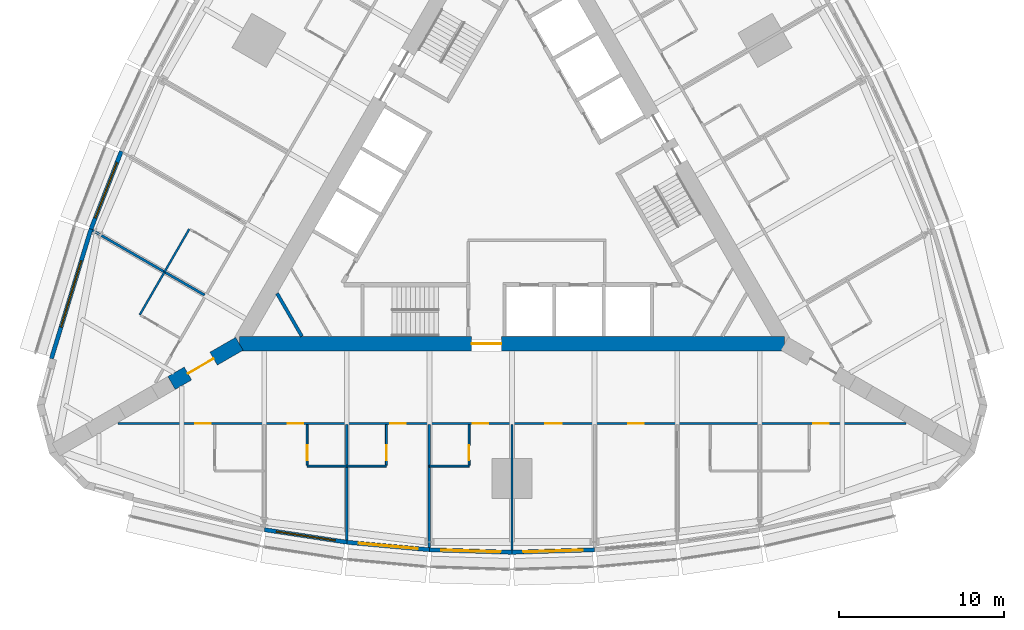
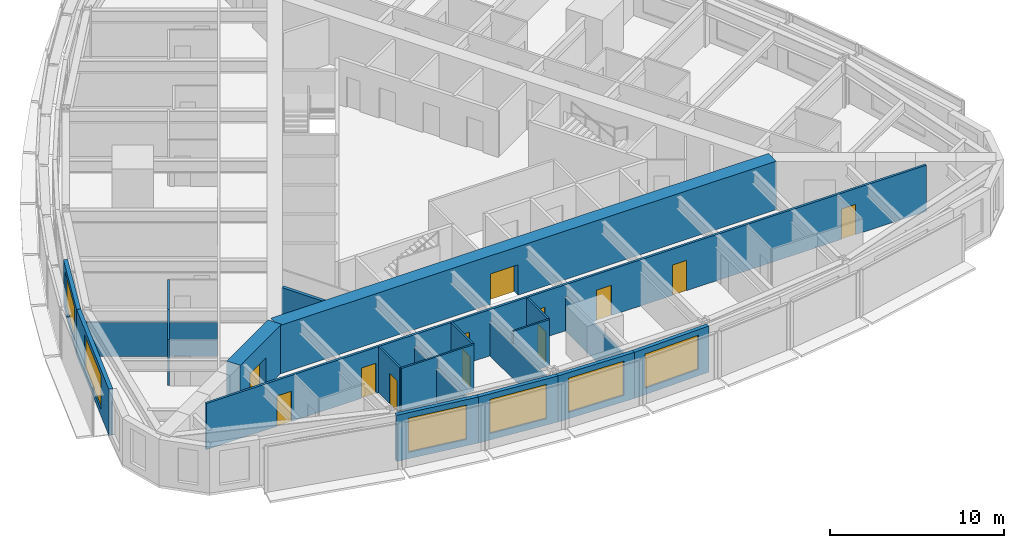
# One storey, part 8 of 14: 22 walls, 12 doors, 6 windows, 18 openings.
"""IFC4 building model written with IfcOpenShell, lengths in metres."""

from ifc_helpers import new_model, si_unit, direction, frame, frame_2d, origin, place, context, subcontext, project, spatial, rectangle, extrude, material, layer, layer_set, type_object, element, fill, save


model = new_model("IFC4")

# Units and contexts
model_context = context("Model", 3, precision=1e-05, world=origin(), true_north=direction((0.0, 1.0)))
body_context = subcontext(model_context, "Body", "Model", "MODEL_VIEW")
ifc_project = project(units=[si_unit("LENGTHUNIT", "METRE"), si_unit("AREAUNIT", "SQUARE_METRE"), si_unit("VOLUMEUNIT", "CUBIC_METRE"), si_unit("PLANEANGLEUNIT", "RADIAN"), si_unit("MASSUNIT", "GRAM", prefix="KILO")], contexts=[model_context])

# Site, building, storey
site_placement = place(None, origin())
site = spatial("IfcSite", under=ifc_project, at=site_placement, CompositionType="ELEMENT")
building_placement = place(site_placement, origin())
building = spatial("IfcBuilding", under=site, at=building_placement, Name="Trikona Tower", CompositionType="ELEMENT")
storey_placement = place(building_placement, frame((0.0, 0.0, 62.5)))
storey = spatial("IfcBuildingStorey", under=building, at=storey_placement, Name="L15", CompositionType="ELEMENT", Elevation=62.5)

# Wall
ifc_material_1 = material(Name="Metal stud and cement board", Category="gypsum")
ifc_layer_1 = layer(ifc_material_1, 0.1201171875)
ifc_layer_set_1 = layer_set([ifc_layer_1], Name="Bathroom wall 120")
wall_type_1 = type_object("IfcWallType", Name="Bathroom wall 120", PredefinedType="PLUMBINGWALL", material=ifc_layer_set_1)
wall_1_placement = place(storey_placement, frame((-12.39990234375, -16.92626953125, 0.0), z_axis=(0.0, 0.0, 1.0), x_axis=(1.0, 0.0, 0.0)))
element("IfcWall", 1, at=wall_1_placement, inside=storey, type_object=wall_type_1, Name="Bathroom wall 1502", PredefinedType="PLUMBINGWALL", context=body_context, shape_type="SweptSolid", body=[
    extrude(rectangle(XDim=2.39990234375, YDim=0.1201171875, at=frame_2d((1.199951171875, 0.0))), origin(), (0.0, 0.0, 1.0), 3.235107421875),
])

# Wall, opening, door
wall_2_placement = place(storey_placement, frame((-12.39990234375, -14.42626953125, 0.0), z_axis=(0.0, 0.0, 1.0), x_axis=(0.0, -1.0, 0.0)))
wall_2 = element("IfcWall", 2, at=wall_2_placement, inside=storey, type_object=wall_type_1, Name="Bathroom wall 1502", PredefinedType="PLUMBINGWALL", context=body_context, shape_type="SweptSolid", body=[
    extrude(rectangle(XDim=2.43994140625, YDim=0.1201171875, at=frame_2d((1.219970703125, 0.0))), origin(), (0.0, 0.0, 1.0), 3.235107421875),
])
opening_1_placement = place(wall_2_placement, frame((1.25, 0.0, 0.0)))
opening_1 = element("IfcOpeningElement", 3, at=opening_1_placement, cuts=wall_2, Name="Opening D2", PredefinedType="OPENING", context=body_context, shape_type="SweptSolid", body=[
    extrude(rectangle(XDim=0.89990234375, YDim=2.1298828125, at=frame_2d((0.449951171875, 1.06494140625))), frame((0.0, 0.070068359375, 0.0), z_axis=(0.0, -1.0, 0.0), x_axis=(1.0, 0.0, 0.0)), (0.0, 0.0, 1.0), 0.14013671875),
])
ifc_material_2 = material(Name="Steel door frame with solid-core timber leaf", Category="steel")
door_type_1 = type_object("IfcDoorType", Name="Bathroom door 900x2130", OperationType="SLIDING_TO_LEFT", PredefinedType="DOOR", material=ifc_material_2)
door_1_placement = place(opening_1_placement, origin())
door_1 = element("IfcDoor", 4, at=door_1_placement, inside=storey, type_object=door_type_1, Name="Bathroom door 1502", OperationType="SLIDING_TO_LEFT", OverallHeight=2.1298828125, OverallWidth=0.89990234375, PredefinedType="DOOR", context=body_context, shape_type="SweptSolid", body=[
    extrude(rectangle(XDim=0.89990234375, YDim=2.1298828125, at=frame_2d((0.449951171875, 1.06494140625))), frame((0.0, 0.02490234375, 0.0), z_axis=(0.0, -1.0, 0.0), x_axis=(1.0, 0.0, 0.0)), (0.0, 0.0, 1.0), 0.050048828125),
])
fill(opening_1, door_1)

# Wall
wall_3_placement = place(storey_placement, frame((-10.0, -16.92626953125, 0.0), z_axis=(0.0, 0.0, 1.0), x_axis=(1.0, 0.0, 0.0)))
element("IfcWall", 5, at=wall_3_placement, inside=storey, type_object=wall_type_1, Name="Bathroom wall 1503", PredefinedType="PLUMBINGWALL", context=body_context, shape_type="SweptSolid", body=[
    extrude(rectangle(XDim=2.39990234375, YDim=0.1201171875, at=frame_2d((1.199951171875, 0.0))), origin(), (0.0, 0.0, 1.0), 3.235107421875),
])

# Wall, opening, door
wall_4_placement = place(storey_placement, frame((-7.60009765625, -14.42626953125, 0.0), z_axis=(0.0, 0.0, 1.0), x_axis=(0.0, -1.0, 0.0)))
wall_4 = element("IfcWall", 6, at=wall_4_placement, inside=storey, type_object=wall_type_1, Name="Bathroom wall 1503", PredefinedType="PLUMBINGWALL", context=body_context, shape_type="SweptSolid", body=[
    extrude(rectangle(XDim=2.43994140625, YDim=0.1201171875, at=frame_2d((1.219970703125, 0.0))), origin(), (0.0, 0.0, 1.0), 3.235107421875),
])
opening_2_placement = place(wall_4_placement, frame((1.25, 0.0, 0.0)))
opening_2 = element("IfcOpeningElement", 7, at=opening_2_placement, cuts=wall_4, Name="Opening D2", PredefinedType="OPENING", context=body_context, shape_type="SweptSolid", body=[
    extrude(rectangle(XDim=0.89990234375, YDim=2.1298828125, at=frame_2d((0.449951171875, 1.06494140625))), frame((0.0, 0.070068359375, 0.0), z_axis=(0.0, -1.0, 0.0), x_axis=(1.0, 0.0, 0.0)), (0.0, 0.0, 1.0), 0.14013671875),
])
door_2_placement = place(opening_2_placement, origin())
door_2 = element("IfcDoor", 8, at=door_2_placement, inside=storey, type_object=door_type_1, Name="Bathroom door 1503", OperationType="SLIDING_TO_LEFT", OverallHeight=2.1298828125, OverallWidth=0.89990234375, PredefinedType="DOOR", context=body_context, shape_type="SweptSolid", body=[
    extrude(rectangle(XDim=0.89990234375, YDim=2.1298828125, at=frame_2d((0.449951171875, 1.06494140625))), frame((0.0, 0.02490234375, 0.0), z_axis=(0.0, -1.0, 0.0), x_axis=(1.0, 0.0, 0.0)), (0.0, 0.0, 1.0), 0.050048828125),
])
fill(opening_2, door_2)

# Wall
wall_5_placement = place(storey_placement, frame((-5.0, -16.92626953125, 0.0), z_axis=(0.0, 0.0, 1.0), x_axis=(1.0, 0.0, 0.0)))
element("IfcWall", 9, at=wall_5_placement, inside=storey, type_object=wall_type_1, Name="Bathroom wall 1504", PredefinedType="PLUMBINGWALL", context=body_context, shape_type="SweptSolid", body=[
    extrude(rectangle(XDim=2.39990234375, YDim=0.1201171875, at=frame_2d((1.199951171875, 0.0))), origin(), (0.0, 0.0, 1.0), 3.235107421875),
])

# Wall, opening, door
wall_6_placement = place(storey_placement, frame((-2.60009765625, -14.42626953125, 0.0), z_axis=(0.0, 0.0, 1.0), x_axis=(0.0, -1.0, 0.0)))
wall_6 = element("IfcWall", 10, at=wall_6_placement, inside=storey, type_object=wall_type_1, Name="Bathroom wall 1504", PredefinedType="PLUMBINGWALL", context=body_context, shape_type="SweptSolid", body=[
    extrude(rectangle(XDim=2.43994140625, YDim=0.1201171875, at=frame_2d((1.219970703125, 0.0))), origin(), (0.0, 0.0, 1.0), 3.235107421875),
])
opening_3_placement = place(wall_6_placement, frame((1.25, 0.0, 0.0)))
opening_3 = element("IfcOpeningElement", 11, at=opening_3_placement, cuts=wall_6, Name="Opening D2", PredefinedType="OPENING", context=body_context, shape_type="SweptSolid", body=[
    extrude(rectangle(XDim=0.89990234375, YDim=2.1298828125, at=frame_2d((0.449951171875, 1.06494140625))), frame((0.0, 0.070068359375, 0.0), z_axis=(0.0, -1.0, 0.0), x_axis=(1.0, 0.0, 0.0)), (0.0, 0.0, 1.0), 0.14013671875),
])
door_3_placement = place(opening_3_placement, origin())
door_3 = element("IfcDoor", 12, at=door_3_placement, inside=storey, type_object=door_type_1, Name="Bathroom door 1504", OperationType="SLIDING_TO_LEFT", OverallHeight=2.1298828125, OverallWidth=0.89990234375, PredefinedType="DOOR", context=body_context, shape_type="SweptSolid", body=[
    extrude(rectangle(XDim=0.89990234375, YDim=2.1298828125, at=frame_2d((0.449951171875, 1.06494140625))), frame((0.0, 0.02490234375, 0.0), z_axis=(0.0, -1.0, 0.0), x_axis=(1.0, 0.0, 0.0)), (0.0, 0.0, 1.0), 0.050048828125),
])
fill(opening_3, door_3)

# Walls
for number, where, z_axis, x_axis, name in (
    (13, (-19.53271484375, -2.5791015625, 0.0), (0.0, 0.0, 1.0), (-0.499990139034, -0.866031096941, 0.0), "Bathroom wall 1516.1"),
    (14, (-21.03271484375, -5.17724609375, 0.0), (0.0, 0.0, 1.0), (-0.499990139034, -0.866031096941, 0.0), "Bathroom wall 1517"),
):
    element("IfcWall", number, at=place(storey_placement, frame(where, z_axis=z_axis, x_axis=x_axis)), inside=storey, type_object=wall_type_1, Name=name, PredefinedType="PLUMBINGWALL", context=body_context, shape_type="SweptSolid", body=[
        extrude(rectangle(XDim=3.0, YDim=0.1201171875, at=frame_2d((1.5, 0.0))), origin(), (0.0, 0.0, 1.0), 3.235107421875),
    ])

# Wall, opening, door
ifc_material_3 = material(Name="Concrete f'c 10000 psi", Category="concrete")
ifc_layer_2 = layer(ifc_material_3, 0.89990234375)
ifc_layer_set_2 = layer_set([ifc_layer_2], Name="Buttress wall 900")
wall_type_2 = type_object("IfcWallType", Name="Buttress wall 900", PredefinedType="SHEAR", material=ifc_layer_set_2)
wall_7_placement = place(storey_placement, frame((-16.5, -9.5263671875, 0.0), z_axis=(0.0, 0.0, 1.0), x_axis=(-0.866031398331, -0.499989616998, 0.0)))
wall_7 = element("IfcWall", 15, at=wall_7_placement, inside=storey, type_object=wall_type_2, Name="Buttress wall 3", PredefinedType="SHEAR", context=body_context, shape_type="SweptSolid", body=[
    extrude(rectangle(XDim=4.74609375, YDim=0.89990234375, at=frame_2d((2.373046875, 0.0))), origin(), (0.0, 0.0, 1.0), 3.39990234375),
])
opening_4_placement = place(wall_7_placement, frame((1.800048828125, 0.0, 0.0)))
opening_4 = element("IfcOpeningElement", 16, at=opening_4_placement, cuts=wall_7, Name="Opening D10", PredefinedType="OPENING", context=body_context, shape_type="SweptSolid", body=[
    extrude(rectangle(XDim=1.800048828125, YDim=2.1298828125, at=frame_2d((0.89990234375, 1.06494140625))), frame((0.0, 0.4599609375, 0.0), z_axis=(0.0, -1.0, 0.0), x_axis=(1.0, 0.0, 0.0)), (0.0, 0.0, 1.0), 0.919921875),
])
ifc_material_4 = material(Name="Hollow metal door and frame", Category="steel")
door_type_2 = type_object("IfcDoorType", Name="Cross-corridor door pair 1800x2130", OperationType="DOUBLE_DOOR_DOUBLE_SWING", PredefinedType="DOOR", material=ifc_material_4)
door_4_placement = place(opening_4_placement, origin())
door_4 = element("IfcDoor", 17, at=door_4_placement, inside=storey, type_object=door_type_2, Name="Cross-corridor door 3", OperationType="DOUBLE_DOOR_DOUBLE_SWING", OverallHeight=2.1298828125, OverallWidth=1.800048828125, PredefinedType="DOOR", context=body_context, shape_type="SweptSolid", body=[
    extrude(rectangle(XDim=1.800048828125, YDim=2.1298828125, at=frame_2d((0.89990234375, 1.06494140625))), frame((0.0, 0.02490234375, 0.0), z_axis=(0.0, -1.0, 0.0), x_axis=(1.0, 0.0, 0.0)), (0.0, 0.0, 1.0), 0.050048828125),
])
fill(opening_4, door_4)

ifc_material_5 = material(Name="Concrete f'c 10000 psi", Category="concrete")
ifc_layer_3 = layer(ifc_material_5, 0.89990234375)
ifc_layer_set_3 = layer_set([ifc_layer_3], Name="Core wall 900")
wall_type_3 = type_object("IfcWallType", Name="Core wall 900", PredefinedType="SHEAR", material=ifc_layer_set_3)
wall_8_placement = place(storey_placement, frame((-16.5, -9.5263671875, 0.0), z_axis=(0.0, 0.0, 1.0), x_axis=(1.0, 0.0, 0.0)))
wall_8 = element("IfcWall", 18, at=wall_8_placement, inside=storey, type_object=wall_type_3, Name="Core wall A", PredefinedType="SHEAR", context=body_context, shape_type="SweptSolid", body=[
    extrude(rectangle(XDim=33.0, YDim=0.89990234375, at=frame_2d((16.5, 0.0))), origin(), (0.0, 0.0, 1.0), 3.39990234375),
])
opening_5_placement = place(wall_8_placement, frame((14.050048828125, 0.0, 0.0)))
opening_5 = element("IfcOpeningElement", 19, at=opening_5_placement, cuts=wall_8, Name="Opening D6", PredefinedType="OPENING", context=body_context, shape_type="SweptSolid", body=[
    extrude(rectangle(XDim=1.800048828125, YDim=2.1298828125, at=frame_2d((0.89990234375, 1.06494140625))), frame((0.0, 0.4599609375, 0.0), z_axis=(0.0, -1.0, 0.0), x_axis=(1.0, 0.0, 0.0)), (0.0, 0.0, 1.0), 0.919921875),
])
ifc_material_6 = material(Name="Hollow metal door and frame", Category="steel")
door_type_3 = type_object("IfcDoorType", Name="Lobby door pair 1800x2130", OperationType="DOUBLE_DOOR_SINGLE_SWING", PredefinedType="DOOR", material=ifc_material_6)
door_5_placement = place(opening_5_placement, origin())
door_5 = element("IfcDoor", 20, at=door_5_placement, inside=storey, type_object=door_type_3, Name="Fire service lift lobby door", OperationType="DOUBLE_DOOR_SINGLE_SWING", OverallHeight=2.1298828125, OverallWidth=1.800048828125, PredefinedType="DOOR", context=body_context, shape_type="SweptSolid", body=[
    extrude(rectangle(XDim=1.800048828125, YDim=2.1298828125, at=frame_2d((0.89990234375, 1.06494140625))), frame((0.0, 0.02490234375, 0.0), z_axis=(0.0, -1.0, 0.0), x_axis=(1.0, 0.0, 0.0)), (0.0, 0.0, 1.0), 0.050048828125),
])
fill(opening_5, door_5)

# Wall, openings, doors
ifc_material_7 = material(Name="Metal stud and gypsum board, 1-hour", Category="gypsum")
ifc_layer_4 = layer(ifc_material_7, 0.14990234375)
ifc_layer_set_4 = layer_set([ifc_layer_4], Name="Corridor wall 150")
wall_type_4 = type_object("IfcWallType", Name="Corridor wall 150", PredefinedType="PARTITIONING", material=ifc_layer_set_4)
wall_9_placement = place(storey_placement, frame((-23.857177734375, -14.351318359375, 0.0), z_axis=(0.0, 0.0, 1.0), x_axis=(1.0, 0.0, 0.0)))
wall_9 = element("IfcWall", 21, at=wall_9_placement, inside=storey, type_object=wall_type_4, Name="Corridor wall L15-1", PredefinedType="PARTITIONING", context=body_context, shape_type="SweptSolid", body=[
    extrude(rectangle(XDim=47.71435546875, YDim=0.14990234375, at=frame_2d((23.857177734375, 0.0))), origin(), (0.0, 0.0, 1.0), 3.235107421875),
])
opening_6_placement = place(wall_9_placement, frame((4.68212890625, 0.0, 0.0)))
opening_6 = element("IfcOpeningElement", 22, at=opening_6_placement, cuts=wall_9, Name="Opening D1", PredefinedType="OPENING", context=body_context, shape_type="SweptSolid", body=[
    extrude(rectangle(XDim=0.949951171875, YDim=2.1298828125, at=frame_2d((0.47509765625, 1.06494140625))), frame((0.0, 0.0849609375, 0.0), z_axis=(0.0, -1.0, 0.0), x_axis=(1.0, 0.0, 0.0)), (0.0, 0.0, 1.0), 0.169921875),
])
opening_7_placement = place(wall_9_placement, frame((10.281982421875, 0.0, 0.0)))
opening_7 = element("IfcOpeningElement", 23, at=opening_7_placement, cuts=wall_9, Name="Opening D1", PredefinedType="OPENING", context=body_context, shape_type="SweptSolid", body=[
    extrude(rectangle(XDim=0.949951171875, YDim=2.1298828125, at=frame_2d((0.47509765625, 1.06494140625))), frame((0.0, 0.0849609375, 0.0), z_axis=(0.0, -1.0, 0.0), x_axis=(1.0, 0.0, 0.0)), (0.0, 0.0, 1.0), 0.169921875),
])
opening_8_placement = place(wall_9_placement, frame((16.482177734375, 0.0, 0.0)))
opening_8 = element("IfcOpeningElement", 24, at=opening_8_placement, cuts=wall_9, Name="Opening D1", PredefinedType="OPENING", context=body_context, shape_type="SweptSolid", body=[
    extrude(rectangle(XDim=0.949951171875, YDim=2.1298828125, at=frame_2d((0.47509765625, 1.06494140625))), frame((0.0, 0.0849609375, 0.0), z_axis=(0.0, -1.0, 0.0), x_axis=(1.0, 0.0, 0.0)), (0.0, 0.0, 1.0), 0.169921875),
])
opening_9_placement = place(wall_9_placement, frame((21.482177734375, 0.0, 0.0)))
opening_9 = element("IfcOpeningElement", 25, at=opening_9_placement, cuts=wall_9, Name="Opening D1", PredefinedType="OPENING", context=body_context, shape_type="SweptSolid", body=[
    extrude(rectangle(XDim=0.949951171875, YDim=2.1298828125, at=frame_2d((0.47509765625, 1.06494140625))), frame((0.0, 0.0849609375, 0.0), z_axis=(0.0, -1.0, 0.0), x_axis=(1.0, 0.0, 0.0)), (0.0, 0.0, 1.0), 0.169921875),
])
opening_10_placement = place(wall_9_placement, frame((25.857177734375, 0.0, 0.0)))
opening_10 = element("IfcOpeningElement", 26, at=opening_10_placement, cuts=wall_9, Name="Opening D3", PredefinedType="OPENING", context=body_context, shape_type="SweptSolid", body=[
    extrude(rectangle(XDim=1.0, YDim=2.1298828125, at=frame_2d((0.5, 1.06494140625))), frame((0.0, 0.0849609375, 0.0), z_axis=(0.0, -1.0, 0.0), x_axis=(1.0, 0.0, 0.0)), (0.0, 0.0, 1.0), 0.169921875),
])
opening_11_placement = place(wall_9_placement, frame((30.882080078125, 0.0, 0.0)))
opening_11 = element("IfcOpeningElement", 27, at=opening_11_placement, cuts=wall_9, Name="Opening D1", PredefinedType="OPENING", context=body_context, shape_type="SweptSolid", body=[
    extrude(rectangle(XDim=0.949951171875, YDim=2.1298828125, at=frame_2d((0.47509765625, 1.06494140625))), frame((0.0, 0.0849609375, 0.0), z_axis=(0.0, -1.0, 0.0), x_axis=(1.0, 0.0, 0.0)), (0.0, 0.0, 1.0), 0.169921875),
])
opening_12_placement = place(wall_9_placement, frame((42.08203125, 0.0, 0.0)))
opening_12 = element("IfcOpeningElement", 28, at=opening_12_placement, cuts=wall_9, Name="Opening D1", PredefinedType="OPENING", context=body_context, shape_type="SweptSolid", body=[
    extrude(rectangle(XDim=0.949951171875, YDim=2.1298828125, at=frame_2d((0.47509765625, 1.06494140625))), frame((0.0, 0.0849609375, 0.0), z_axis=(0.0, -1.0, 0.0), x_axis=(1.0, 0.0, 0.0)), (0.0, 0.0, 1.0), 0.169921875),
])
ifc_material_8 = material(Name="Steel door frame with solid-core timber leaf", Category="steel")
door_type_4 = type_object("IfcDoorType", Name="Guest room door 950x2130", OperationType="SINGLE_SWING_LEFT", PredefinedType="DOOR", material=ifc_material_8)
door_6_placement = place(opening_6_placement, origin())
door_6 = element("IfcDoor", 29, at=door_6_placement, inside=storey, type_object=door_type_4, Name="Room door 1501", OperationType="SINGLE_SWING_LEFT", OverallHeight=2.1298828125, OverallWidth=0.949951171875, PredefinedType="DOOR", context=body_context, shape_type="SweptSolid", body=[
    extrude(rectangle(XDim=0.949951171875, YDim=2.1298828125, at=frame_2d((0.47509765625, 1.06494140625))), frame((0.0, 0.02490234375, 0.0), z_axis=(0.0, -1.0, 0.0), x_axis=(1.0, 0.0, 0.0)), (0.0, 0.0, 1.0), 0.050048828125),
])
fill(opening_6, door_6)
door_7_placement = place(opening_7_placement, origin())
door_7 = element("IfcDoor", 30, at=door_7_placement, inside=storey, type_object=door_type_4, Name="Room door 1502", OperationType="SINGLE_SWING_RIGHT", OverallHeight=2.1298828125, OverallWidth=0.949951171875, PredefinedType="DOOR", context=body_context, shape_type="SweptSolid", body=[
    extrude(rectangle(XDim=0.949951171875, YDim=2.1298828125, at=frame_2d((0.47509765625, 1.06494140625))), frame((0.0, 0.02490234375, 0.0), z_axis=(0.0, -1.0, 0.0), x_axis=(1.0, 0.0, 0.0)), (0.0, 0.0, 1.0), 0.050048828125),
])
fill(opening_7, door_7)
door_8_placement = place(opening_8_placement, origin())
door_8 = element("IfcDoor", 31, at=door_8_placement, inside=storey, type_object=door_type_4, Name="Room door 1503", OperationType="SINGLE_SWING_LEFT", OverallHeight=2.1298828125, OverallWidth=0.949951171875, PredefinedType="DOOR", context=body_context, shape_type="SweptSolid", body=[
    extrude(rectangle(XDim=0.949951171875, YDim=2.1298828125, at=frame_2d((0.47509765625, 1.06494140625))), frame((0.0, 0.02490234375, 0.0), z_axis=(0.0, -1.0, 0.0), x_axis=(1.0, 0.0, 0.0)), (0.0, 0.0, 1.0), 0.050048828125),
])
fill(opening_8, door_8)
door_9_placement = place(opening_9_placement, origin())
door_9 = element("IfcDoor", 32, at=door_9_placement, inside=storey, type_object=door_type_4, Name="Room door 1504", OperationType="SINGLE_SWING_RIGHT", OverallHeight=2.1298828125, OverallWidth=0.949951171875, PredefinedType="DOOR", context=body_context, shape_type="SweptSolid", body=[
    extrude(rectangle(XDim=0.949951171875, YDim=2.1298828125, at=frame_2d((0.47509765625, 1.06494140625))), frame((0.0, 0.02490234375, 0.0), z_axis=(0.0, -1.0, 0.0), x_axis=(1.0, 0.0, 0.0)), (0.0, 0.0, 1.0), 0.050048828125),
])
fill(opening_9, door_9)
door_10_placement = place(opening_11_placement, origin())
door_10 = element("IfcDoor", 33, at=door_10_placement, inside=storey, type_object=door_type_4, Name="Room door 1505", OperationType="SINGLE_SWING_RIGHT", OverallHeight=2.1298828125, OverallWidth=0.949951171875, PredefinedType="DOOR", context=body_context, shape_type="SweptSolid", body=[
    extrude(rectangle(XDim=0.949951171875, YDim=2.1298828125, at=frame_2d((0.47509765625, 1.06494140625))), frame((0.0, 0.02490234375, 0.0), z_axis=(0.0, -1.0, 0.0), x_axis=(1.0, 0.0, 0.0)), (0.0, 0.0, 1.0), 0.050048828125),
])
fill(opening_11, door_10)
door_11_placement = place(opening_12_placement, origin())
door_11 = element("IfcDoor", 34, at=door_11_placement, inside=storey, type_object=door_type_4, Name="Room door 1506", OperationType="SINGLE_SWING_LEFT", OverallHeight=2.1298828125, OverallWidth=0.949951171875, PredefinedType="DOOR", context=body_context, shape_type="SweptSolid", body=[
    extrude(rectangle(XDim=0.949951171875, YDim=2.1298828125, at=frame_2d((0.47509765625, 1.06494140625))), frame((0.0, 0.02490234375, 0.0), z_axis=(0.0, -1.0, 0.0), x_axis=(1.0, 0.0, 0.0)), (0.0, 0.0, 1.0), 0.050048828125),
])
fill(opening_12, door_11)
ifc_material_9 = material(Name="Steel door frame with solid-core timber leaf", Category="steel")
door_type_5 = type_object("IfcDoorType", Name="Room door 1000x2130", OperationType="SINGLE_SWING_LEFT", PredefinedType="DOOR", material=ifc_material_9)
door_12_placement = place(opening_10_placement, origin())
door_12 = element("IfcDoor", 35, at=door_12_placement, inside=storey, type_object=door_type_5, Name="Door Housekeeping pantry", OperationType="SINGLE_SWING_LEFT", OverallHeight=2.1298828125, OverallWidth=1.0, PredefinedType="DOOR", context=body_context, shape_type="SweptSolid", body=[
    extrude(rectangle(XDim=1.0, YDim=2.1298828125, at=frame_2d((0.5, 1.06494140625))), frame((0.0, 0.02490234375, 0.0), z_axis=(0.0, -1.0, 0.0), x_axis=(1.0, 0.0, 0.0)), (0.0, 0.0, 1.0), 0.050048828125),
])
fill(opening_10, door_12)

# Wall, opening, window
ifc_material_10 = material(Name="Insulated precast concrete spandrel panel", Category="concrete")
ifc_layer_5 = layer(ifc_material_10, 0.25)
ifc_layer_set_5 = layer_set([ifc_layer_5], Name="Inner skin wall 250")
wall_type_5 = type_object("IfcWallType", Name="Inner skin wall 250", PredefinedType="STANDARD", material=ifc_layer_set_5)
wall_10_placement = place(storey_placement, frame((-14.981201171875, -20.779296875, 0.0), z_axis=(0.0, 0.0, 1.0), x_axis=(0.988615403399, -0.150464561152, 0.0)))
wall_10 = element("IfcWall", 36, at=wall_10_placement, inside=storey, type_object=wall_type_5, Name="External wall L15-01", PredefinedType="STANDARD", context=body_context, shape_type="SweptSolid", body=[
    extrude(rectangle(XDim=5.0576171875, YDim=0.25, at=frame_2d((2.52880859375, 0.0))), origin(), (0.0, 0.0, 1.0), 3.235107421875),
])
opening_13_placement = place(wall_10_placement, frame((0.728759765625, 0.0, 0.449951171875)))
opening_13 = element("IfcOpeningElement", 37, at=opening_13_placement, cuts=wall_10, Name="Opening W3624", PredefinedType="OPENING", context=body_context, shape_type="SweptSolid", body=[
    extrude(rectangle(XDim=3.60009765625, YDim=2.39990234375, at=frame_2d((1.800048828125, 1.199951171875))), frame((0.0, 0.135009765625, 0.0), z_axis=(0.0, -1.0, 0.0), x_axis=(1.0, 0.0, 0.0)), (0.0, 0.0, 1.0), 0.27001953125),
])
ifc_material_11 = material(Name="Aluminium-framed double glazing", Category="aluminium")
window_type_1 = type_object("IfcWindowType", Name="Window 3600x2400", PartitioningType="SINGLE_PANEL", PredefinedType="WINDOW", material=ifc_material_11)
window_1_placement = place(opening_13_placement, origin())
window_1 = element("IfcWindow", 38, at=window_1_placement, inside=storey, type_object=window_type_1, Name="Window 1502", OverallHeight=2.39990234375, OverallWidth=3.60009765625, PartitioningType="SINGLE_PANEL", PredefinedType="WINDOW", context=body_context, shape_type="SweptSolid", body=[
    extrude(rectangle(XDim=3.60009765625, YDim=2.39990234375, at=frame_2d((1.800048828125, 1.199951171875))), frame((0.0, 0.030029296875, 0.0), z_axis=(0.0, -1.0, 0.0), x_axis=(1.0, 0.0, 0.0)), (0.0, 0.0, 1.0), 0.06005859375),
])
fill(opening_13, window_1)

wall_11_placement = place(storey_placement, frame((-9.988525390625, -21.539306640625, 0.0), z_axis=(0.0, 0.0, 1.0), x_axis=(0.995857256774, -0.090930325692, 0.0)))
wall_11 = element("IfcWall", 39, at=wall_11_placement, inside=storey, type_object=wall_type_5, Name="External wall L15-02", PredefinedType="STANDARD", context=body_context, shape_type="SweptSolid", body=[
    extrude(rectangle(XDim=5.020751953125, YDim=0.25, at=frame_2d((2.51025390625, 0.0))), origin(), (0.0, 0.0, 1.0), 3.235107421875),
])
opening_14_placement = place(wall_11_placement, frame((0.71044921875, 0.0, 0.449951171875)))
opening_14 = element("IfcOpeningElement", 40, at=opening_14_placement, cuts=wall_11, Name="Opening W3624", PredefinedType="OPENING", context=body_context, shape_type="SweptSolid", body=[
    extrude(rectangle(XDim=3.60009765625, YDim=2.39990234375, at=frame_2d((1.800048828125, 1.199951171875))), frame((0.0, 0.135009765625, 0.0), z_axis=(0.0, -1.0, 0.0), x_axis=(1.0, 0.0, 0.0)), (0.0, 0.0, 1.0), 0.27001953125),
])
window_2_placement = place(opening_14_placement, origin())
window_2 = element("IfcWindow", 41, at=window_2_placement, inside=storey, type_object=window_type_1, Name="Window 1503", OverallHeight=2.39990234375, OverallWidth=3.60009765625, PartitioningType="SINGLE_PANEL", PredefinedType="WINDOW", context=body_context, shape_type="SweptSolid", body=[
    extrude(rectangle(XDim=3.60009765625, YDim=2.39990234375, at=frame_2d((1.800048828125, 1.199951171875))), frame((0.0, 0.030029296875, 0.0), z_axis=(0.0, -1.0, 0.0), x_axis=(1.0, 0.0, 0.0)), (0.0, 0.0, 1.0), 0.06005859375),
])
fill(opening_14, window_2)

wall_12_placement = place(storey_placement, frame((-4.99609375, -21.99560546875, 0.0), z_axis=(0.0, 0.0, 1.0), x_axis=(0.999537635046, -0.030405856769, 0.0)))
wall_12 = element("IfcWall", 42, at=wall_12_placement, inside=storey, type_object=wall_type_5, Name="External wall L15-03", PredefinedType="STANDARD", context=body_context, shape_type="SweptSolid", body=[
    extrude(rectangle(XDim=5.002197265625, YDim=0.25, at=frame_2d((2.5009765625, 0.0))), origin(), (0.0, 0.0, 1.0), 3.235107421875),
])
opening_15_placement = place(wall_12_placement, frame((0.701171875, 0.0, 0.449951171875)))
opening_15 = element("IfcOpeningElement", 43, at=opening_15_placement, cuts=wall_12, Name="Opening W3624", PredefinedType="OPENING", context=body_context, shape_type="SweptSolid", body=[
    extrude(rectangle(XDim=3.60009765625, YDim=2.39990234375, at=frame_2d((1.800048828125, 1.199951171875))), frame((0.0, 0.135009765625, 0.0), z_axis=(0.0, -1.0, 0.0), x_axis=(1.0, 0.0, 0.0)), (0.0, 0.0, 1.0), 0.27001953125),
])
window_3_placement = place(opening_15_placement, origin())
window_3 = element("IfcWindow", 44, at=window_3_placement, inside=storey, type_object=window_type_1, Name="Window 1504", OverallHeight=2.39990234375, OverallWidth=3.60009765625, PartitioningType="SINGLE_PANEL", PredefinedType="WINDOW", context=body_context, shape_type="SweptSolid", body=[
    extrude(rectangle(XDim=3.60009765625, YDim=2.39990234375, at=frame_2d((1.800048828125, 1.199951171875))), frame((0.0, 0.030029296875, 0.0), z_axis=(0.0, -1.0, 0.0), x_axis=(1.0, 0.0, 0.0)), (0.0, 0.0, 1.0), 0.06005859375),
])
fill(opening_15, window_3)

wall_13_placement = place(storey_placement, frame((-0.00390625, -22.147705078125, 0.0), z_axis=(0.0, 0.0, 1.0), x_axis=(0.999537635046, 0.030405856769, 0.0)))
wall_13 = element("IfcWall", 45, at=wall_13_placement, inside=storey, type_object=wall_type_5, Name="External wall L15-04", PredefinedType="STANDARD", context=body_context, shape_type="SweptSolid", body=[
    extrude(rectangle(XDim=5.002197265625, YDim=0.25, at=frame_2d((2.5009765625, 0.0))), origin(), (0.0, 0.0, 1.0), 3.235107421875),
])
opening_16_placement = place(wall_13_placement, frame((0.701171875, 0.0, 0.449951171875)))
opening_16 = element("IfcOpeningElement", 46, at=opening_16_placement, cuts=wall_13, Name="Opening W3624", PredefinedType="OPENING", context=body_context, shape_type="SweptSolid", body=[
    extrude(rectangle(XDim=3.60009765625, YDim=2.39990234375, at=frame_2d((1.800048828125, 1.199951171875))), frame((0.0, 0.135009765625, 0.0), z_axis=(0.0, -1.0, 0.0), x_axis=(1.0, 0.0, 0.0)), (0.0, 0.0, 1.0), 0.27001953125),
])
window_4_placement = place(opening_16_placement, origin())
window_4 = element("IfcWindow", 47, at=window_4_placement, inside=storey, type_object=window_type_1, Name="Window L15-HKP", OverallHeight=2.39990234375, OverallWidth=3.60009765625, PartitioningType="SINGLE_PANEL", PredefinedType="WINDOW", context=body_context, shape_type="SweptSolid", body=[
    extrude(rectangle(XDim=3.60009765625, YDim=2.39990234375, at=frame_2d((1.800048828125, 1.199951171875))), frame((0.0, 0.030029296875, 0.0), z_axis=(0.0, -1.0, 0.0), x_axis=(1.0, 0.0, 0.0)), (0.0, 0.0, 1.0), 0.06005859375),
])
fill(opening_16, window_4)

wall_14_placement = place(storey_placement, frame((-23.64501953125, 2.126220703125, 0.0), z_axis=(0.0, 0.0, 1.0), x_axis=(-0.364013463868, -0.931393685894, 0.0)))
wall_14 = element("IfcWall", 48, at=wall_14_placement, inside=storey, type_object=wall_type_5, Name="External wall L15-30", PredefinedType="STANDARD", context=body_context, shape_type="SweptSolid", body=[
    extrude(rectangle(XDim=5.0576171875, YDim=0.25, at=frame_2d((2.52880859375, 0.0))), origin(), (0.0, 0.0, 1.0), 3.235107421875),
])
opening_17_placement = place(wall_14_placement, frame((0.728759765625, 0.0, 0.449951171875)))
opening_17 = element("IfcOpeningElement", 49, at=opening_17_placement, cuts=wall_14, Name="Opening W3624", PredefinedType="OPENING", context=body_context, shape_type="SweptSolid", body=[
    extrude(rectangle(XDim=3.60009765625, YDim=2.39990234375, at=frame_2d((1.800048828125, 1.199951171875))), frame((0.0, 0.135009765625, 0.0), z_axis=(0.0, -1.0, 0.0), x_axis=(1.0, 0.0, 0.0)), (0.0, 0.0, 1.0), 0.27001953125),
])
window_5_placement = place(opening_17_placement, origin())
window_5 = element("IfcWindow", 50, at=window_5_placement, inside=storey, type_object=window_type_1, Name="Window 1516.1", OverallHeight=2.39990234375, OverallWidth=3.60009765625, PartitioningType="SINGLE_PANEL", PredefinedType="WINDOW", context=body_context, shape_type="SweptSolid", body=[
    extrude(rectangle(XDim=3.60009765625, YDim=2.39990234375, at=frame_2d((1.800048828125, 1.199951171875))), frame((0.0, 0.030029296875, 0.0), z_axis=(0.0, -1.0, 0.0), x_axis=(1.0, 0.0, 0.0)), (0.0, 0.0, 1.0), 0.06005859375),
])
fill(opening_17, window_5)

wall_15_placement = place(storey_placement, frame((-25.48291015625, -2.575439453125, 0.0), z_axis=(0.0, 0.0, 1.0), x_axis=(-0.2919790669, -0.956424709265, 0.0)))
wall_15 = element("IfcWall", 51, at=wall_15_placement, inside=storey, type_object=wall_type_5, Name="External wall L15-31", PredefinedType="STANDARD", context=body_context, shape_type="SweptSolid", body=[
    extrude(rectangle(XDim=8.211181640625, YDim=0.25, at=frame_2d((4.10546875, 0.0))), origin(), (0.0, 0.0, 1.0), 3.235107421875),
])
opening_18_placement = place(wall_15_placement, frame((2.005615234375, 0.0, 0.449951171875)))
opening_18 = element("IfcOpeningElement", 52, at=opening_18_placement, cuts=wall_15, Name="Opening W4224", PredefinedType="OPENING", context=body_context, shape_type="SweptSolid", body=[
    extrude(rectangle(XDim=4.199951171875, YDim=2.39990234375, at=frame_2d((2.10009765625, 1.199951171875))), frame((0.0, 0.135009765625, 0.0), z_axis=(0.0, -1.0, 0.0), x_axis=(1.0, 0.0, 0.0)), (0.0, 0.0, 1.0), 0.27001953125),
])
ifc_material_12 = material(Name="Aluminium-framed double glazing", Category="aluminium")
window_type_2 = type_object("IfcWindowType", Name="Window 4200x2400", PartitioningType="SINGLE_PANEL", PredefinedType="WINDOW", material=ifc_material_12)
window_6_placement = place(opening_18_placement, origin())
window_6 = element("IfcWindow", 53, at=window_6_placement, inside=storey, type_object=window_type_2, Name="Window 1517", OverallHeight=2.39990234375, OverallWidth=4.199951171875, PartitioningType="SINGLE_PANEL", PredefinedType="WINDOW", context=body_context, shape_type="SweptSolid", body=[
    extrude(rectangle(XDim=4.199951171875, YDim=2.39990234375, at=frame_2d((2.10009765625, 1.199951171875))), frame((0.0, 0.030029296875, 0.0), z_axis=(0.0, -1.0, 0.0), x_axis=(1.0, 0.0, 0.0)), (0.0, 0.0, 1.0), 0.06005859375),
])
fill(opening_18, window_6)

# Walls
ifc_material_13 = material(Name="Metal stud and gypsum board, 1-hour acoustic", Category="gypsum")
ifc_layer_6 = layer(ifc_material_13, 0.14990234375)
ifc_layer_set_6 = layer_set([ifc_layer_6], Name="Party wall 150")
wall_type_6 = type_object("IfcWallType", Name="Party wall 150", PredefinedType="PARTITIONING", material=ifc_layer_set_6)
wall_16_placement = place(storey_placement, frame((-10.0, -14.42626953125, 0.0), z_axis=(0.0, 0.0, 1.0), x_axis=(0.0, -1.0, 0.0)))
element("IfcWall", 54, at=wall_16_placement, inside=storey, type_object=wall_type_6, Name="Partition L15 F1 u-10", PredefinedType="PARTITIONING", context=body_context, shape_type="SweptSolid", body=[
    extrude(rectangle(XDim=6.984619140625, YDim=0.14990234375, at=frame_2d((3.4921875, 0.0))), origin(), (0.0, 0.0, 1.0), 2.38916015625),
])
wall_17_placement = place(storey_placement, frame((-5.0, -14.42626953125, 0.0), z_axis=(0.0, 0.0, 1.0), x_axis=(0.0, -1.0, 0.0)))
element("IfcWall", 55, at=wall_17_placement, inside=storey, type_object=wall_type_6, Name="Partition L15 F1 u-5", PredefinedType="PARTITIONING", context=body_context, shape_type="SweptSolid", body=[
    extrude(rectangle(XDim=7.443115234375, YDim=0.14990234375, at=frame_2d((3.7216796875, 0.0))), origin(), (0.0, 0.0, 1.0), 2.38916015625),
])
wall_18_placement = place(storey_placement, frame((0.0, -14.42626953125, 0.0), z_axis=(0.0, 0.0, 1.0), x_axis=(0.0, -1.0, 0.0)))
element("IfcWall", 56, at=wall_18_placement, inside=storey, type_object=wall_type_6, Name="Partition L15 F1 u-1.03538e-30", PredefinedType="PARTITIONING", context=body_context, shape_type="SweptSolid", body=[
    extrude(rectangle(XDim=7.59619140625, YDim=0.14990234375, at=frame_2d((3.798095703125, 0.0))), origin(), (0.0, 0.0, 1.0), 2.38916015625),
])
wall_19_placement = place(storey_placement, frame((-18.60791015625, -6.5771484375, 0.0), z_axis=(0.0, 0.0, 1.0), x_axis=(-0.866034818847, 0.499983692279, 0.0)))
element("IfcWall", 57, at=wall_19_placement, inside=storey, type_object=wall_type_6, Name="Partition L15 F3 u15", PredefinedType="PARTITIONING", context=body_context, shape_type="SweptSolid", body=[
    extrude(rectangle(XDim=7.820068359375, YDim=0.14990234375, at=frame_2d((3.91015625, 0.0))), origin(), (0.0, 0.0, 1.0), 2.38916015625),
])
ifc_material_14 = material(Name="Concrete f'c 8000 psi", Category="concrete")
ifc_layer_7 = layer(ifc_material_14, 0.199951171875)
ifc_layer_set_7 = layer_set([ifc_layer_7], Name="Shaft wall 200")
wall_type_7 = type_object("IfcWallType", Name="Shaft wall 200", PredefinedType="SOLIDWALL", material=ifc_layer_set_7)
wall_20_placement = place(storey_placement, frame((-12.718505859375, -9.076416015625, 0.0), z_axis=(0.0, 0.0, 1.0), x_axis=(-0.499952404951, 0.866052881055, 0.0)))
element("IfcWall", 58, at=wall_20_placement, inside=storey, type_object=wall_type_7, Name="Riser wall L15-RS3", PredefinedType="SOLIDWALL", context=body_context, shape_type="SweptSolid", body=[
    extrude(rectangle(XDim=3.002197265625, YDim=0.199951171875, at=frame_2d((1.5009765625, 0.0))), origin(), (0.0, 0.0, 1.0), 3.235107421875),
])

save(model, "model.ifc")
